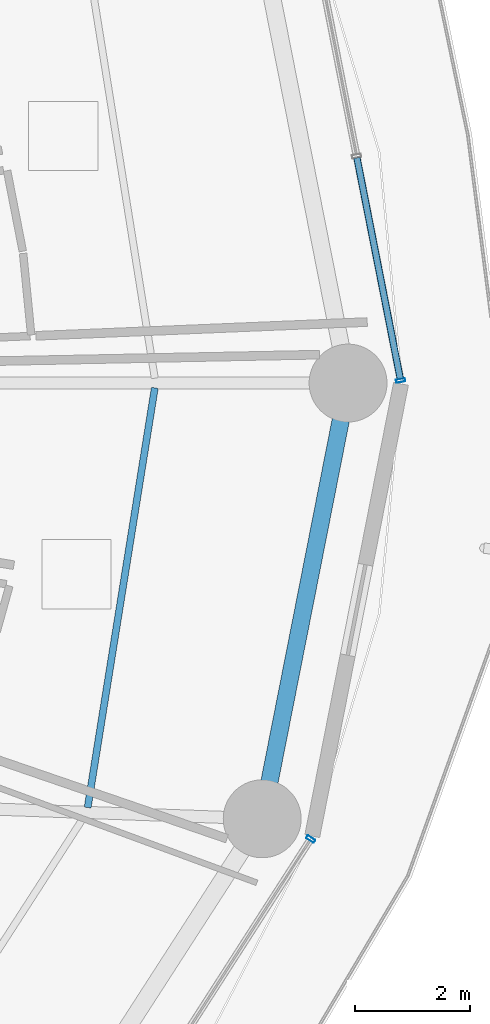
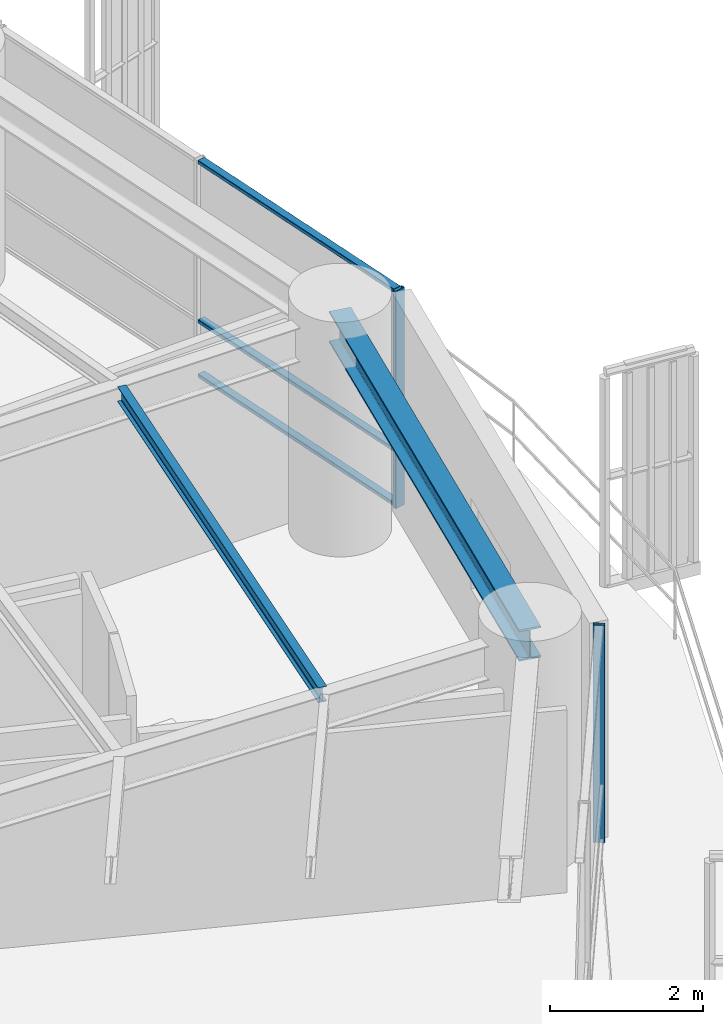
# One storey, part 15 of 35: 5 members, 2 beams, 2 elements without a shape of their own.
"""IFC4 building model written with IfcOpenShell, lengths in metres."""

import ifcopenshell
import ifcopenshell.guid

model = None  # the IFC model being written
_history = None  # IfcOwnerHistory: only IFC2X3 demands one
_inside = {}  # id of a spatial element -> (the spatial element, [elements in it])
_under = {}  # id of a project, library or spatial element -> (it, [spatial elements below it])
_declared = {}  # id of a project -> (the project, [libraries it declares])
_typed = {}  # id of a type object -> (the type object, [elements of that type])
_made_of = {}  # id of a material, layer set ... -> (it, [elements and type objects made of it])


def new_model(schema):
    """Start an empty IFC model of exactly this schema.

    Asked for "IFC4X3", IfcOpenShell would pick the latest addendum, in which some entities
    have other attributes; the version numbers below select the first issue.
    IFC2X3 requires an IfcOwnerHistory on every rooted entity: one is made here for all.
    """
    global model, _history
    if schema == "IFC4X3":
        model = ifcopenshell.file(schema_version=(4, 3, 0, 0))
    else:
        model = ifcopenshell.file(schema=schema)
    _inside.clear()
    _under.clear()
    _declared.clear()
    _typed.clear()
    _made_of.clear()
    _history = None
    if model.schema == "IFC2X3":
        org = make("IfcOrganization", Name="unknown")
        user = make(
            "IfcPersonAndOrganization",
            ThePerson=make("IfcPerson", FamilyName="unknown"),
            TheOrganization=org,
        )
        app = make(
            "IfcApplication",
            ApplicationDeveloper=org,
            Version="unknown",
            ApplicationFullName="unknown",
            ApplicationIdentifier="unknown",
        )
        _history = make(
            "IfcOwnerHistory",
            OwningUser=user,
            OwningApplication=app,
            ChangeAction="ADDED",
            CreationDate=0,
        )
    return model


def make(cls, **values):
    """One entity of the class cls with the attributes given. An attribute that is None is left unset."""
    return model.create_entity(
        cls, **{name: value for name, value in values.items() if value is not None}
    )


def rooted(cls, **values):
    """An entity with a GlobalId (a new one), such as an element, a storey or a relation."""
    return make(cls, GlobalId=ifcopenshell.guid.new(), OwnerHistory=_history, **values)


def si_unit(unit_type, name, prefix=None):
    """IfcSIUnit, for example si_unit("LENGTHUNIT", "METRE", prefix="MILLI")."""
    return make("IfcSIUnit", UnitType=unit_type, Prefix=prefix, Name=name)


def assignment(units):
    """IfcUnitAssignment: the units of a project."""
    return None if units is None else make("IfcUnitAssignment", Units=units)


def point(xyz):
    """IfcCartesianPoint."""
    return None if xyz is None else make("IfcCartesianPoint", Coordinates=xyz)


def direction(xyz):
    """IfcDirection."""
    return None if xyz is None else make("IfcDirection", DirectionRatios=xyz)


def frame(location, z_axis=None, x_axis=None):
    """IfcAxis2Placement3D, a coordinate frame: its origin and axes. An axis left out is left unset."""
    return make(
        "IfcAxis2Placement3D",
        Location=point(location),
        Axis=direction(z_axis),
        RefDirection=direction(x_axis),
    )


def frame_2d(location, x_axis=None):
    """IfcAxis2Placement2D, a coordinate frame in the plane: its origin and x axis."""
    return make(
        "IfcAxis2Placement2D", Location=point(location), RefDirection=direction(x_axis)
    )


def origin():
    """The frame at (0, 0, 0) with its axes left unset."""
    return frame((0.0, 0.0, 0.0))


def origin_2d():
    """The frame at (0, 0) in the plane with its x axis left unset."""
    return frame_2d((0.0, 0.0))


def place(relative_to, where):
    """IfcLocalPlacement: puts the frame where relative to a parent placement (None: the world)."""
    return make(
        "IfcLocalPlacement", PlacementRelTo=relative_to, RelativePlacement=where
    )


def context(
    kind, dimensions, precision=None, world=None, true_north=None, identifier=None
):
    """IfcGeometricRepresentationContext, for example the 3D "Model" context."""
    return make(
        "IfcGeometricRepresentationContext",
        ContextIdentifier=identifier,
        ContextType=kind,
        CoordinateSpaceDimension=dimensions,
        Precision=precision,
        WorldCoordinateSystem=world,
        TrueNorth=true_north,
    )


def subcontext(parent, identifier, kind, view, scale=None):
    """IfcGeometricRepresentationSubContext, for example "Body" below "Model"."""
    return make(
        "IfcGeometricRepresentationSubContext",
        ContextIdentifier=identifier,
        ContextType=kind,
        ParentContext=parent,
        TargetScale=scale,
        TargetView=view,
    )


def project(units=None, contexts=None):
    """IfcProject with its units and contexts."""
    return rooted(
        "IfcProject",
        Name="project",
        RepresentationContexts=contexts,
        UnitsInContext=assignment(units),
    )


def spatial(cls, under=None, at=None, **own):
    """A site, building, storey or space (cls), placed at a placement, below another one or the project."""
    s = rooted(cls, ObjectPlacement=at, **own)
    if under is not None:
        _under.setdefault(under.id(), (under, []))[1].append(s)
    return s


def profile(cls, at=None, kind="AREA", **sizes):
    """A parametric profile (cls). Its sizes go by their IFC names, for example OverallWidth=200.0."""
    return make(cls, ProfileType=kind, Position=at, **sizes)


def hollow_rectangle(**sizes):
    """IfcRectangleHollowProfileDef."""
    return profile("IfcRectangleHollowProfileDef", **sizes)


def i_section(**sizes):
    """IfcIShapeProfileDef."""
    return profile("IfcIShapeProfileDef", **sizes)


def extrude(swept, where, along, depth):
    """IfcExtrudedAreaSolid: the profile swept, set in the frame where, extruded along a direction by depth."""
    return make(
        "IfcExtrudedAreaSolid",
        SweptArea=swept,
        Position=where,
        ExtrudedDirection=direction(along),
        Depth=depth,
    )


def shape(context_of_items, identifier, shape_type, items):
    """IfcShapeRepresentation: the items that make up one representation, for example the "Body"."""
    return make(
        "IfcShapeRepresentation",
        ContextOfItems=context_of_items,
        RepresentationIdentifier=identifier,
        RepresentationType=shape_type,
        Items=items,
    )


def material(Name=None, Category=None):
    """IfcMaterial."""
    return make("IfcMaterial", Name=Name, Category=Category)


def layer(
    of_material, thickness, ventilated=None, Name=None, Category=None, Priority=None
):
    """IfcMaterialLayer: one layer of a wall or slab, of a material (None: an air gap)."""
    return make(
        "IfcMaterialLayer",
        Material=of_material,
        LayerThickness=thickness,
        IsVentilated=ventilated,
        Name=Name,
        Category=Category,
        Priority=Priority,
    )


def layer_set(layers, Name=None):
    """IfcMaterialLayerSet."""
    return make("IfcMaterialLayerSet", MaterialLayers=layers, LayerSetName=Name)


def material_profile(
    of_material, cross_section, Name=None, Category=None, Priority=None
):
    """IfcMaterialProfile: a cross section and its material."""
    return make(
        "IfcMaterialProfile",
        Name=Name,
        Material=of_material,
        Profile=cross_section,
        Priority=Priority,
        Category=Category,
    )


def profile_set(profiles, Name=None, composite=None):
    """IfcMaterialProfileSet."""
    return make(
        "IfcMaterialProfileSet",
        Name=Name,
        MaterialProfiles=profiles,
        CompositeProfile=composite,
    )


def made_of(thing, what):
    """Note that an element or type object is made of a material, layer set ...; save() writes the relation."""
    if what is not None:
        _made_of.setdefault(what.id(), (what, []))[1].append(thing)
    return thing


def type_object(cls, material=None, **own):
    """A type object (cls), such as IfcWallType, which elements share."""
    return made_of(rooted(cls, **own), material)


def element(
    cls,
    number,
    at=None,
    inside=None,
    cuts=None,
    type_object=None,
    material=None,
    context=None,
    identifier="Body",
    shape_type=None,
    held_by="IfcProductDefinitionShape",
    body=None,
    shapes=None,
    **own,
):
    """One element of the class cls, such as IfcWall. Its Tag is "e" and its number.

    at: its placement. inside: the storey or other place that contains it. cuts: it is an
    opening in that element (IfcRelVoidsElement). A single representation is given by context,
    identifier, shape_type and body (its items); several are given by shapes. held_by: the class
    of the entity that holds the representations. save() writes the other relations.
    """
    e = rooted(cls, Tag="e%d" % number, ObjectPlacement=at, **own)
    if body is not None:
        shapes = [shape(context, identifier, shape_type, body)]
    if shapes is not None:
        e.Representation = make(held_by, Representations=shapes)
    if inside is not None:
        _inside.setdefault(inside.id(), (inside, []))[1].append(e)
    if cuts is not None:
        rooted(
            "IfcRelVoidsElement", RelatingBuildingElement=cuts, RelatedOpeningElement=e
        )
    if type_object is not None:
        _typed.setdefault(type_object.id(), (type_object, []))[1].append(e)
    return made_of(e, material)


def aggregate(whole, parts):
    """IfcRelAggregates: a whole, such as a stair, and the parts it consists of."""
    return rooted("IfcRelAggregates", RelatingObject=whole, RelatedObjects=parts)


def save(model, path):
    """Write the relations noted so far, then the file.

    IfcRelAggregates (storeys below a building ...), IfcRelContainedInSpatialStructure (elements
    in a storey), IfcRelDefinesByType, IfcRelAssociatesMaterial and IfcRelDeclares: one each for
    every whole, place, type object, material and project.
    """
    for whole, parts in _under.values():
        aggregate(whole, parts)
    for where, things in _inside.values():
        rooted(
            "IfcRelContainedInSpatialStructure",
            RelatedElements=things,
            RelatingStructure=where,
        )
    for kind, things in _typed.values():
        rooted("IfcRelDefinesByType", RelatedObjects=things, RelatingType=kind)
    for what, things in _made_of.values():
        rooted("IfcRelAssociatesMaterial", RelatedObjects=things, RelatingMaterial=what)
    for by, libraries in _declared.values():
        rooted("IfcRelDeclares", RelatingContext=by, RelatedDefinitions=libraries)
    model.write(path)


model = new_model("IFC4")

# Units and contexts
model_context = context("Model", 3, precision=1e-05, world=origin(), true_north=direction((0.0, 1.0)))
body_context = subcontext(model_context, "Body", "Model", "MODEL_VIEW")
ifc_project = project(units=[si_unit("LENGTHUNIT", "METRE"), si_unit("AREAUNIT", "SQUARE_METRE"), si_unit("VOLUMEUNIT", "CUBIC_METRE"), si_unit("PLANEANGLEUNIT", "RADIAN"), si_unit("MASSUNIT", "GRAM", prefix="KILO")], contexts=[model_context])

# Site, building, storey
site_placement = place(None, origin())
site = spatial("IfcSite", under=ifc_project, at=site_placement, CompositionType="ELEMENT")
building_placement = place(site_placement, origin())
building = spatial("IfcBuilding", under=site, at=building_placement, Name="Kelanora Arch Commons", CompositionType="ELEMENT")
storey_placement = place(building_placement, frame((0.0, 0.0, 87.60009765625)))
storey = spatial("IfcBuildingStorey", under=building, at=storey_placement, Name="L22", CompositionType="ELEMENT", Elevation=87.60009765625)

# Beams
ifc_material_1 = material(Name="Steel S355", Category="steel")
ifc_material_profile_1 = material_profile(ifc_material_1, i_section(OverallWidth=0.1201171875, OverallDepth=0.239990234375, WebThickness=0.006103515625, FlangeThickness=0.009765625, FilletRadius=0.014892578125, at=origin_2d()), Name="IPE240")
ifc_profile_set_1 = profile_set([ifc_material_profile_1], Name="Steel S355")
beam_type_1 = type_object("IfcBeamType", Name="BM-JST-02", PredefinedType="JOIST", material=ifc_profile_set_1)
beam_1_placement = place(storey_placement, frame((94.166748046875, 50.642578125, 3.369873046875), z_axis=(0.157999549894, 0.987439184068, 0.0), x_axis=(-0.987439184068, 0.157999549894, 0.0)))
element("IfcBeam", 1, at=beam_1_placement, inside=storey, type_object=beam_type_1, Name="Secondary Chord Joist BJC-34 L22", PredefinedType="JOIST", context=body_context, shape_type="SweptSolid", body=[
    extrude(i_section(OverallWidth=0.1201171875, OverallDepth=0.239990234375, WebThickness=0.006103515625, FlangeThickness=0.009765625, FilletRadius=0.014892578125, at=origin_2d()), origin(), (0.0, 0.0, 1.0), 7.365966796875),
])
ifc_material_profile_2 = material_profile(ifc_material_1, i_section(OverallWidth=0.300048828125, OverallDepth=0.5, WebThickness=0.014404296875, FlangeThickness=0.028076171875, FilletRadius=0.027099609375, at=origin_2d()), Name="HEB500")
ifc_profile_set_2 = profile_set([ifc_material_profile_2], Name="Steel S355")
beam_type_2 = type_object("IfcBeamType", Name="BM-SPN-Z2", PredefinedType="SPANDREL", material=ifc_profile_set_2)
beam_2_placement = place(storey_placement, frame((97.191650390625, 50.4482421875, 3.239990234375), z_axis=(0.19335825777, 0.981128220037, 0.0), x_axis=(-0.981128220037, 0.19335825777, 0.0)))
element("IfcBeam", 2, at=beam_2_placement, inside=storey, type_object=beam_type_2, Name="Perimeter Spandrel Beam BS-34 L22", PredefinedType="SPANDREL", context=body_context, shape_type="SweptSolid", body=[
    extrude(i_section(OverallWidth=0.300048828125, OverallDepth=0.5, WebThickness=0.014404296875, FlangeThickness=0.028076171875, FilletRadius=0.027099609375, at=origin_2d()), origin(), (0.0, 0.0, 1.0), 7.697021484375),
])

# Curtain wall, member
ifc_material_2 = material(Name="Terracotta ceramic-fritted low-E glass and aluminium", Category="masonry")
ifc_layer = layer(ifc_material_2, 0.159912109375)
ifc_layer_set = layer_set([ifc_layer], Name="Terracotta ceramic-fritted low-E glass and aluminium")
curtain_wall_type = type_object("IfcCurtainWallType", Name="CW-SYS-01", PredefinedType="NOTDEFINED", material=ifc_layer_set)
curtain_wall_1_placement = place(storey_placement, origin())
curtain_wall_1 = element("IfcCurtainWall", 3, at=curtain_wall_1_placement, inside=storey, type_object=curtain_wall_type, Name="Unitised Curtain Wall L22-B00", PredefinedType="NOTDEFINED")
ifc_material_3 = material(Name="Powder-coated aluminium terracotta", Category="masonry")
ifc_material_profile_3 = material_profile(ifc_material_3, hollow_rectangle(XDim=0.159912109375, YDim=0.06005859375, WallThickness=0.0048828125, InnerFilletRadius=0.0048828125, OuterFilletRadius=0.010009765625, at=origin_2d()), Name="CWM160x60")
ifc_profile_set_3 = profile_set([ifc_material_profile_3], Name="Powder-coated aluminium terracotta")
member_type_1 = type_object("IfcMemberType", Name="CWM-STD", PredefinedType="MULLION", material=ifc_profile_set_3)
member_1_placement = place(storey_placement, frame((99.59130859375, 58.044189453125, 0.0), z_axis=(0.0, 0.0, 1.0), x_axis=(-0.981280311646, -0.192584916272, 0.0)))
member_1 = element("IfcMember", 4, at=member_1_placement, type_object=member_type_1, Name="CW-01 mullion 1", PredefinedType="MULLION", context=body_context, shape_type="SweptSolid", body=[
    extrude(hollow_rectangle(XDim=0.159912109375, YDim=0.06005859375, WallThickness=0.0048828125, InnerFilletRadius=0.0048828125, OuterFilletRadius=0.010009765625, at=origin_2d()), origin(), (0.0, 0.0, 1.0), 3.474853515625),
])

curtain_wall_2_placement = place(storey_placement, origin())
curtain_wall_2 = element("IfcCurtainWall", 5, at=curtain_wall_2_placement, inside=storey, type_object=curtain_wall_type, Name="Unitised Curtain Wall L22-B16", PredefinedType="NOTDEFINED")
member_2_placement = place(storey_placement, frame((98.03173828125, 50.095703125, 0.0), z_axis=(0.0, 0.0, 1.0), x_axis=(-0.841268883088, 0.540616931244, 0.0)))
member_2 = element("IfcMember", 6, at=member_2_placement, type_object=member_type_1, Name="CW-01 mullion 3", PredefinedType="MULLION", context=body_context, shape_type="SweptSolid", body=[
    extrude(hollow_rectangle(XDim=0.159912109375, YDim=0.06005859375, WallThickness=0.0048828125, InnerFilletRadius=0.0048828125, OuterFilletRadius=0.010009765625, at=origin_2d()), origin(), (0.0, 0.0, 1.0), 3.474853515625),
])
aggregate(curtain_wall_2, [member_2])

# Member
ifc_material_profile_4 = material_profile(ifc_material_3, hollow_rectangle(XDim=0.1201171875, YDim=0.06005859375, WallThickness=0.0048828125, InnerFilletRadius=0.0048828125, OuterFilletRadius=0.010009765625, at=origin_2d()), Name="CWT120x60")
ifc_profile_set_4 = profile_set([ifc_material_profile_4], Name="Powder-coated aluminium terracotta")
member_type_2 = type_object("IfcMemberType", Name="CWT-STD", PredefinedType="USERDEFINED", material=ifc_profile_set_4)
member_3_placement = place(storey_placement, frame((99.58544921875, 58.073486328125, 0.02978515625), z_axis=(-0.192578614785, 0.981281548348, 0.0), x_axis=(-0.981281548348, -0.192578614785, 0.0)))
member_3 = element("IfcMember", 7, at=member_3_placement, type_object=member_type_2, Name="CW-01 transom 1.1", ObjectType="TRANSOM", PredefinedType="USERDEFINED", context=body_context, shape_type="SweptSolid", body=[
    extrude(hollow_rectangle(XDim=0.1201171875, YDim=0.06005859375, WallThickness=0.0048828125, InnerFilletRadius=0.0048828125, OuterFilletRadius=0.010009765625, at=origin_2d()), origin(), (0.0, 0.0, 1.0), 3.9033203125),
])

member_4_placement = place(storey_placement, frame((99.58544921875, 58.073486328125, 0.89990234375), z_axis=(-0.192578614785, 0.981281548348, 0.0), x_axis=(-0.981281548348, -0.192578614785, 0.0)))
member_4 = element("IfcMember", 8, at=member_4_placement, type_object=member_type_2, Name="CW-01 transom 1.2", ObjectType="TRANSOM", PredefinedType="USERDEFINED", context=body_context, shape_type="SweptSolid", body=[
    extrude(hollow_rectangle(XDim=0.1201171875, YDim=0.06005859375, WallThickness=0.0048828125, InnerFilletRadius=0.0048828125, OuterFilletRadius=0.010009765625, at=origin_2d()), origin(), (0.0, 0.0, 1.0), 3.9033203125),
])

member_5_placement = place(storey_placement, frame((99.58544921875, 58.073486328125, 3.44482421875), z_axis=(-0.192578614785, 0.981281548348, 0.0), x_axis=(-0.981281548348, -0.192578614785, 0.0)))
member_5 = element("IfcMember", 9, at=member_5_placement, type_object=member_type_2, Name="CW-01 transom 1.3", ObjectType="TRANSOM", PredefinedType="USERDEFINED", context=body_context, shape_type="SweptSolid", body=[
    extrude(hollow_rectangle(XDim=0.1201171875, YDim=0.06005859375, WallThickness=0.0048828125, InnerFilletRadius=0.0048828125, OuterFilletRadius=0.010009765625, at=origin_2d()), origin(), (0.0, 0.0, 1.0), 3.9033203125),
])

aggregate(curtain_wall_1, [member_1, member_3, member_4, member_5])

save(model, "model.ifc")
